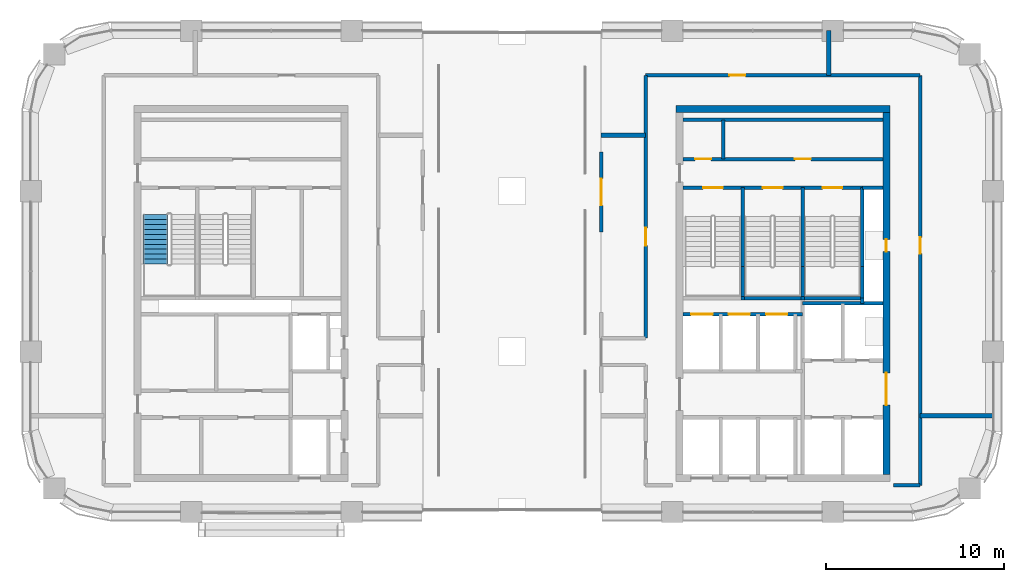
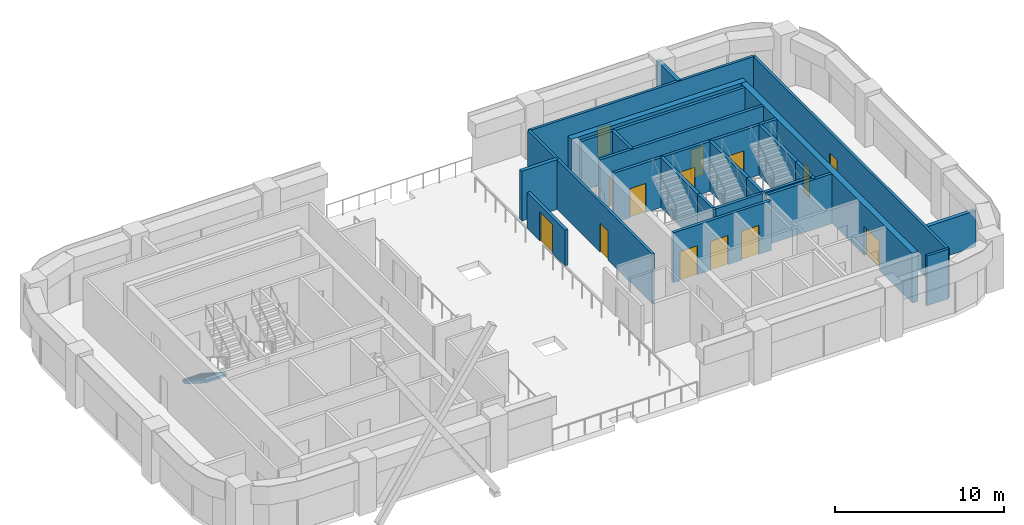
# One storey, part 8 of 11: 28 walls, 14 doors, 1 stair flight, 14 openings, 1 element without a shape of its own.
"""IFC4 building model written with IfcOpenShell, lengths in metres."""

from ifc_helpers import new_model, si_unit, direction, frame, frame_2d, origin, place, context, subcontext, project, spatial, polyline, rectangle, outline, extrude, material, layer, layer_set, type_object, element, fill, aggregate, save


model = new_model("IFC4")

# Units and contexts
model_context = context("Model", 3, precision=1e-05, world=origin(), true_north=direction((0.0, 1.0)))
body_context = subcontext(model_context, "Body", "Model", "MODEL_VIEW")
ifc_project = project(units=[si_unit("LENGTHUNIT", "METRE"), si_unit("AREAUNIT", "SQUARE_METRE"), si_unit("VOLUMEUNIT", "CUBIC_METRE"), si_unit("PLANEANGLEUNIT", "RADIAN"), si_unit("MASSUNIT", "GRAM", prefix="KILO")], contexts=[model_context])

# Site, building, storey
site_placement = place(None, origin())
site = spatial("IfcSite", under=ifc_project, at=site_placement, CompositionType="ELEMENT")
building_placement = place(site_placement, origin())
building = spatial("IfcBuilding", under=site, at=building_placement, Name="Tessera Arch", CompositionType="ELEMENT")
storey_placement = place(building_placement, frame((0.0, 0.0, 203.300048828125)))
storey = spatial("IfcBuildingStorey", under=building, at=storey_placement, Name="L48", CompositionType="ELEMENT", Elevation=203.300048828125)

# Wall
ifc_material_1 = material(Name="Gypsum board on steel stud", Category="steel")
ifc_layer_1 = layer(ifc_material_1, 0.125)
ifc_layer_set_1 = layer_set([ifc_layer_1], Name="Core partition 125 EI 60")
wall_type_1 = type_object("IfcWallType", Name="Core partition 125 EI 60", PredefinedType="PARTITIONING", material=ifc_layer_set_1)
wall_1_placement = place(storey_placement, frame((38.840087890625, 46.800048828125, 0.0), z_axis=(0.0, 0.0, 1.0), x_axis=(0.0, 1.0, 0.0)))
element("IfcWall", 1, at=wall_1_placement, inside=storey, type_object=wall_type_1, Name="L48 C1 partition wall 3", PredefinedType="PARTITIONING", context=body_context, shape_type="SweptSolid", body=[
    extrude(rectangle(XDim=2.199951171875, YDim=0.199951171875, at=frame_2d((1.10009765625, 0.0))), origin(), (0.0, 0.0, 1.0), 3.599853515625),
])

# Wall, openings, doors
wall_2_placement = place(storey_placement, frame((36.60009765625, 46.800048828125, 0.0), z_axis=(0.0, 0.0, 1.0), x_axis=(1.0, 0.0, 0.0)))
wall_2 = element("IfcWall", 2, at=wall_2_placement, inside=storey, type_object=wall_type_1, Name="L48 C1 partition wall 31", PredefinedType="PARTITIONING", context=body_context, shape_type="SweptSolid", body=[
    extrude(rectangle(XDim=11.199951171875, YDim=0.199951171875, at=frame_2d((5.60009765625, 0.0))), origin(), (0.0, 0.0, 1.0), 3.599853515625),
])
opening_1_placement = place(wall_2_placement, frame((0.669921875, 0.0, 0.0)))
opening_1 = element("IfcOpeningElement", 3, at=opening_1_placement, cuts=wall_2, Name="Opening L48-C18", PredefinedType="OPENING", context=body_context, shape_type="SweptSolid", body=[
    extrude(rectangle(XDim=0.89990234375, YDim=2.10009765625, at=frame_2d((0.449951171875, 1.050048828125))), frame((0.0, 0.10986328125, 0.0), z_axis=(0.0, -1.0, 0.0), x_axis=(1.0, 0.0, 0.0)), (0.0, 0.0, 1.0), 0.219970703125),
])
opening_2_placement = place(wall_2_placement, frame((6.27001953125, 0.0, 0.0)))
opening_2 = element("IfcOpeningElement", 4, at=opening_2_placement, cuts=wall_2, Name="Opening L48-C19", PredefinedType="OPENING", context=body_context, shape_type="SweptSolid", body=[
    extrude(rectangle(XDim=0.89990234375, YDim=2.10009765625, at=frame_2d((0.449951171875, 1.050048828125))), frame((0.0, 0.10986328125, 0.0), z_axis=(0.0, -1.0, 0.0), x_axis=(1.0, 0.0, 0.0)), (0.0, 0.0, 1.0), 0.219970703125),
])
ifc_material_2 = material(Name="Steel door leaf", Category="steel")
door_type_1 = type_object("IfcDoorType", Name="Store door FD30S 900 x 2100", OperationType="SINGLE_SWING_LEFT", PredefinedType="DOOR", material=ifc_material_2)
door_1_placement = place(opening_1_placement, origin())
door_1 = element("IfcDoor", 5, at=door_1_placement, inside=storey, type_object=door_type_1, Name="L48 C1 door 18 C18 type D09", OperationType="SINGLE_SWING_LEFT", OverallHeight=2.10009765625, OverallWidth=0.89990234375, PredefinedType="DOOR", context=body_context, shape_type="SweptSolid", body=[
    extrude(rectangle(XDim=0.89990234375, YDim=2.10009765625, at=frame_2d((0.449951171875, 1.050048828125))), frame((0.0, 0.02490234375, 0.0), z_axis=(0.0, -1.0, 0.0), x_axis=(1.0, 0.0, 0.0)), (0.0, 0.0, 1.0), 0.050048828125),
])
fill(opening_1, door_1)
door_2_placement = place(opening_2_placement, origin())
door_2 = element("IfcDoor", 6, at=door_2_placement, inside=storey, type_object=door_type_1, Name="L48 C1 door 19 C19 type D09", OperationType="SINGLE_SWING_RIGHT", OverallHeight=2.10009765625, OverallWidth=0.89990234375, PredefinedType="DOOR", context=body_context, shape_type="SweptSolid", body=[
    extrude(rectangle(XDim=0.89990234375, YDim=2.10009765625, at=frame_2d((0.449951171875, 1.050048828125))), frame((0.0, 0.02490234375, 0.0), z_axis=(0.0, -1.0, 0.0), x_axis=(1.0, 0.0, 0.0)), (0.0, 0.0, 1.0), 0.050048828125),
])
fill(opening_2, door_2)

# Walls
wall_3_placement = place(storey_placement, frame((36.60009765625, 49.0, 0.0), z_axis=(0.0, 0.0, 1.0), x_axis=(1.0, 0.0, 0.0)))
element("IfcWall", 7, at=wall_3_placement, inside=storey, type_object=wall_type_1, Name="L48 C1 partition wall 32", PredefinedType="PARTITIONING", context=body_context, shape_type="SweptSolid", body=[
    extrude(rectangle(XDim=11.199951171875, YDim=0.199951171875, at=frame_2d((5.60009765625, 0.0))), origin(), (0.0, 0.0, 1.0), 3.599853515625),
])
ifc_material_3 = material(Name="Concrete C50/60", Category="concrete")
ifc_layer_2 = layer(ifc_material_3, 0.39990234375)
ifc_layer_set_2 = layer_set([ifc_layer_2], Name="Core shell wall 400 C50-60")
wall_type_2 = type_object("IfcWallType", Name="Core shell wall 400 C50-60", PredefinedType="SHEAR", material=ifc_layer_set_2)
wall_4_placement = place(storey_placement, frame((36.199951171875, 49.60009765625, 0.0), z_axis=(0.0, 0.0, 1.0), x_axis=(1.0, 0.0, 0.0)))
element("IfcWall", 8, at=wall_4_placement, inside=storey, type_object=wall_type_2, Name="L48 C1 core wall N", PredefinedType="SHEAR", context=body_context, shape_type="SweptSolid", body=[
    extrude(rectangle(XDim=12.0, YDim=0.39990234375, at=frame_2d((6.0, 0.0))), origin(), (0.0, 0.0, 1.0), 3.599853515625),
])

# Wall, openings, doors
wall_5_placement = place(storey_placement, frame((48.0, 29.10009765625, 0.0), z_axis=(0.0, 0.0, 1.0), x_axis=(0.0, 1.0, 0.0)))
wall_5 = element("IfcWall", 9, at=wall_5_placement, inside=storey, type_object=wall_type_2, Name="L48 C1 core wall E", PredefinedType="SHEAR", context=body_context, shape_type="SweptSolid", body=[
    extrude(rectangle(XDim=20.2998046875, YDim=0.39990234375, at=frame_2d((10.14990234375, 0.0))), origin(), (0.0, 0.0, 1.0), 3.599853515625),
])
opening_3_placement = place(wall_5_placement, frame((12.5, 0.0, 0.0)))
opening_3 = element("IfcOpeningElement", 10, at=opening_3_placement, cuts=wall_5, Name="Opening L48-C14", PredefinedType="OPENING", context=body_context, shape_type="SweptSolid", body=[
    extrude(rectangle(XDim=0.699951171875, YDim=2.10009765625, at=frame_2d((0.35009765625, 1.050048828125))), frame((0.0, 0.2099609375, 0.0), z_axis=(0.0, -1.0, 0.0), x_axis=(1.0, 0.0, 0.0)), (0.0, 0.0, 1.0), 0.419921875),
])
opening_4_placement = place(wall_5_placement, frame((3.89990234375, 0.0, 0.0)))
opening_4 = element("IfcOpeningElement", 11, at=opening_4_placement, cuts=wall_5, Name="Opening L48-C15", PredefinedType="OPENING", context=body_context, shape_type="SweptSolid", body=[
    extrude(rectangle(XDim=1.800048828125, YDim=2.10009765625, at=frame_2d((0.89990234375, 1.050048828125))), frame((0.0, 0.2099609375, 0.0), z_axis=(0.0, -1.0, 0.0), x_axis=(1.0, 0.0, 0.0)), (0.0, 0.0, 1.0), 0.419921875),
])
ifc_material_4 = material(Name="Glazed steel door leaf", Category="steel")
door_type_2 = type_object("IfcDoorType", Name="Lobby double door FD60 1800 x 2100", OperationType="DOUBLE_DOOR_SINGLE_SWING", PredefinedType="DOOR", material=ifc_material_4)
door_3_placement = place(opening_4_placement, origin())
door_3 = element("IfcDoor", 12, at=door_3_placement, inside=storey, type_object=door_type_2, Name="L48 C1 door 15 C15 type D19", OperationType="DOUBLE_DOOR_SINGLE_SWING", OverallHeight=2.10009765625, OverallWidth=1.800048828125, PredefinedType="DOOR", context=body_context, shape_type="SweptSolid", body=[
    extrude(rectangle(XDim=1.800048828125, YDim=2.10009765625, at=frame_2d((0.89990234375, 1.050048828125))), frame((0.0, 0.02490234375, 0.0), z_axis=(0.0, -1.0, 0.0), x_axis=(1.0, 0.0, 0.0)), (0.0, 0.0, 1.0), 0.050048828125),
])
fill(opening_4, door_3)
ifc_material_5 = material(Name="Steel door leaf", Category="steel")
door_type_3 = type_object("IfcDoorType", Name="Service shaft door FD60 700 x 2100", OperationType="SINGLE_SWING_LEFT", PredefinedType="DOOR", material=ifc_material_5)
door_4_placement = place(opening_3_placement, origin())
door_4 = element("IfcDoor", 13, at=door_4_placement, inside=storey, type_object=door_type_3, Name="L48 C1 door 14 C14 type D07", OperationType="SINGLE_SWING_RIGHT", OverallHeight=2.10009765625, OverallWidth=0.699951171875, PredefinedType="DOOR", context=body_context, shape_type="SweptSolid", body=[
    extrude(rectangle(XDim=0.699951171875, YDim=2.10009765625, at=frame_2d((0.35009765625, 1.050048828125))), frame((0.0, 0.02490234375, 0.0), z_axis=(0.0, -1.0, 0.0), x_axis=(1.0, 0.0, 0.0)), (0.0, 0.0, 1.0), 0.050048828125),
])
fill(opening_3, door_4)

# Wall
ifc_material_6 = material(Name="Gypsum board on deep steel stud with mineral wool", Category="steel")
ifc_layer_3 = layer(ifc_material_6, 0.175048828125)
ifc_layer_set_3 = layer_set([ifc_layer_3], Name="Corridor wall 175 EI 60")
wall_type_3 = type_object("IfcWallType", Name="Corridor wall 175 EI 60", PredefinedType="PARTITIONING", material=ifc_layer_set_3)
wall_6_placement = place(storey_placement, frame((48.39990234375, 28.5, 0.0), z_axis=(0.0, 0.0, 1.0), x_axis=(1.0, 0.0, 0.0)))
element("IfcWall", 14, at=wall_6_placement, inside=storey, type_object=wall_type_3, Name="L48 partition 4", PredefinedType="PARTITIONING", context=body_context, shape_type="SweptSolid", body=[
    extrude(rectangle(XDim=1.5, YDim=0.175048828125, at=frame_2d((0.75, 0.0))), origin(), (0.0, 0.0, 1.0), 3.599853515625),
])

# Wall, opening, door
wall_7_placement = place(storey_placement, frame((34.5, 51.5, 0.0), z_axis=(0.0, 0.0, 1.0), x_axis=(1.0, 0.0, 0.0)))
wall_7 = element("IfcWall", 15, at=wall_7_placement, inside=storey, type_object=wall_type_3, Name="L48 partition 10", PredefinedType="PARTITIONING", context=body_context, shape_type="SweptSolid", body=[
    extrude(rectangle(XDim=15.39990234375, YDim=0.175048828125, at=frame_2d((7.699951171875, 0.0))), origin(), (0.0, 0.0, 1.0), 3.599853515625),
])
opening_5_placement = place(wall_7_placement, frame((4.68896484375, 0.0, 0.0)))
opening_5 = element("IfcOpeningElement", 16, at=opening_5_placement, cuts=wall_7, Name="Opening L48-D010", PredefinedType="OPENING", context=body_context, shape_type="SweptSolid", body=[
    extrude(rectangle(XDim=0.89990234375, YDim=2.10009765625, at=frame_2d((0.449951171875, 1.050048828125))), frame((0.0, 0.097412109375, 0.0), z_axis=(0.0, -1.0, 0.0), x_axis=(1.0, 0.0, 0.0)), (0.0, 0.0, 1.0), 0.195068359375),
])
ifc_material_7 = material(Name="Timber door leaf", Category="wood")
door_type_4 = type_object("IfcDoorType", Name="Room door 900 x 2100", OperationType="SINGLE_SWING_LEFT", PredefinedType="DOOR", material=ifc_material_7)
door_5_placement = place(opening_5_placement, origin())
door_5 = element("IfcDoor", 17, at=door_5_placement, inside=storey, type_object=door_type_4, Name="L48 door D010 type D01", OperationType="SINGLE_SWING_RIGHT", OverallHeight=2.10009765625, OverallWidth=0.89990234375, PredefinedType="DOOR", context=body_context, shape_type="SweptSolid", body=[
    extrude(rectangle(XDim=0.89990234375, YDim=2.10009765625, at=frame_2d((0.449951171875, 1.050048828125))), frame((0.0, 0.02490234375, 0.0), z_axis=(0.0, -1.0, 0.0), x_axis=(1.0, 0.0, 0.0)), (0.0, 0.0, 1.0), 0.050048828125),
])
fill(opening_5, door_5)

wall_8_placement = place(storey_placement, frame((34.5, 36.75, 0.0), z_axis=(0.0, 0.0, 1.0), x_axis=(0.0, 1.0, 0.0)))
wall_8 = element("IfcWall", 18, at=wall_8_placement, inside=storey, type_object=wall_type_3, Name="L48 partition 15", PredefinedType="PARTITIONING", context=body_context, shape_type="SweptSolid", body=[
    extrude(rectangle(XDim=14.75, YDim=0.175048828125, at=frame_2d((7.375, 0.0))), origin(), (0.0, 0.0, 1.0), 3.599853515625),
])
opening_6_placement = place(wall_8_placement, frame((5.189208984375, 0.0, 0.0)))
opening_6 = element("IfcOpeningElement", 19, at=opening_6_placement, cuts=wall_8, Name="Opening L48-D006", PredefinedType="OPENING", context=body_context, shape_type="SweptSolid", body=[
    extrude(rectangle(XDim=1.0, YDim=2.10009765625, at=frame_2d((0.5, 1.050048828125))), frame((0.0, 0.097412109375, 0.0), z_axis=(0.0, -1.0, 0.0), x_axis=(1.0, 0.0, 0.0)), (0.0, 0.0, 1.0), 0.195068359375),
])
ifc_material_8 = material(Name="Fire-rated door leaf")
door_type_5 = type_object("IfcDoorType", Name="Entrance door FD30S 1000 x 2100", OperationType="SINGLE_SWING_LEFT", PredefinedType="DOOR", material=ifc_material_8)
door_6_placement = place(opening_6_placement, origin())
door_6 = element("IfcDoor", 20, at=door_6_placement, inside=storey, type_object=door_type_5, Name="L48 door D006 type D03", OperationType="SINGLE_SWING_RIGHT", OverallHeight=2.10009765625, OverallWidth=1.0, PredefinedType="DOOR", context=body_context, shape_type="SweptSolid", body=[
    extrude(rectangle(XDim=1.0, YDim=2.10009765625, at=frame_2d((0.5, 1.050048828125))), frame((0.0, 0.02490234375, 0.0), z_axis=(0.0, -1.0, 0.0), x_axis=(1.0, 0.0, 0.0)), (0.0, 0.0, 1.0), 0.050048828125),
])
fill(opening_6, door_6)

wall_9_placement = place(storey_placement, frame((49.89990234375, 28.5, 0.0), z_axis=(0.0, 0.0, 1.0), x_axis=(0.0, 1.0, 0.0)))
wall_9 = element("IfcWall", 21, at=wall_9_placement, inside=storey, type_object=wall_type_3, Name="L48 partition 16", PredefinedType="PARTITIONING", context=body_context, shape_type="SweptSolid", body=[
    extrude(rectangle(XDim=23.0, YDim=0.175048828125, at=frame_2d((11.5, 0.0))), origin(), (0.0, 0.0, 1.0), 3.599853515625),
])
opening_7_placement = place(wall_9_placement, frame((13.0, 0.0, 0.0)))
opening_7 = element("IfcOpeningElement", 22, at=opening_7_placement, cuts=wall_9, Name="Opening L48-D008", PredefinedType="OPENING", context=body_context, shape_type="SweptSolid", body=[
    extrude(rectangle(XDim=0.89990234375, YDim=2.10009765625, at=frame_2d((0.449951171875, 1.050048828125))), frame((0.0, 0.097412109375, 0.0), z_axis=(0.0, -1.0, 0.0), x_axis=(1.0, 0.0, 0.0)), (0.0, 0.0, 1.0), 0.195068359375),
])
door_7_placement = place(opening_7_placement, origin())
door_7 = element("IfcDoor", 23, at=door_7_placement, inside=storey, type_object=door_type_4, Name="L48 door D008 type D01", OperationType="SINGLE_SWING_LEFT", OverallHeight=2.10009765625, OverallWidth=0.89990234375, PredefinedType="DOOR", context=body_context, shape_type="SweptSolid", body=[
    extrude(rectangle(XDim=0.89990234375, YDim=2.10009765625, at=frame_2d((0.449951171875, 1.050048828125))), frame((0.0, 0.02490234375, 0.0), z_axis=(0.0, -1.0, 0.0), x_axis=(1.0, 0.0, 0.0)), (0.0, 0.0, 1.0), 0.050048828125),
])
fill(opening_7, door_7)

ifc_material_9 = material(Name="Aluminium cladding pale metal anodised", Category="aluminium")
ifc_layer_4 = layer(ifc_material_9, 0.199951171875)
ifc_layer_set_4 = layer_set([ifc_layer_4], Name="Envelope wall pale metal")
wall_type_4 = type_object("IfcWallType", Name="Envelope wall pale metal", PredefinedType="SOLIDWALL", material=ifc_layer_set_4)
wall_10_placement = place(storey_placement, frame((32.0, 47.199951171875, 0.0), z_axis=(0.0, 0.0, 1.0), x_axis=(0.0, -1.0, 0.0)))
wall_10 = element("IfcWall", 24, at=wall_10_placement, inside=storey, type_object=wall_type_4, Name="Door bay wall W32.27/0 L48", PredefinedType="SOLIDWALL", context=body_context, shape_type="SweptSolid", body=[
    extrude(rectangle(XDim=4.5, YDim=0.199951171875, at=frame_2d((2.25, 0.0))), origin(), (0.0, 0.0, 1.0), 2.599853515625),
])
opening_8_placement = place(wall_10_placement, frame((1.5, 0.0, 0.0)))
opening_8 = element("IfcOpeningElement", 25, at=opening_8_placement, cuts=wall_10, Name="Opening L48-X03", PredefinedType="OPENING", context=body_context, shape_type="SweptSolid", body=[
    extrude(rectangle(XDim=1.5, YDim=2.10009765625, at=frame_2d((0.75, 1.050048828125))), frame((0.0, 0.10986328125, 0.0), z_axis=(0.0, -1.0, 0.0), x_axis=(1.0, 0.0, 0.0)), (0.0, 0.0, 1.0), 0.219970703125),
])
ifc_material_10 = material(Name="Aluminium frame and clear glass", Category="aluminium")
door_type_6 = type_object("IfcDoorType", Name="Terrace door glazed double leaf", OperationType="DOUBLE_DOOR_SINGLE_SWING", PredefinedType="DOOR", material=ifc_material_10)
door_8_placement = place(opening_8_placement, origin())
door_8 = element("IfcDoor", 26, at=door_8_placement, inside=storey, type_object=door_type_6, Name="Door L48-X-W32.27/0-1 X03", OperationType="DOUBLE_DOOR_SINGLE_SWING", OverallHeight=2.10009765625, OverallWidth=1.5, PredefinedType="DOOR", context=body_context, shape_type="SweptSolid", body=[
    extrude(rectangle(XDim=1.5, YDim=2.10009765625, at=frame_2d((0.75, 1.050048828125))), frame((0.0, 0.02490234375, 0.0), z_axis=(0.0, -1.0, 0.0), x_axis=(1.0, 0.0, 0.0)), (0.0, 0.0, 1.0), 0.050048828125),
])
fill(opening_8, door_8)

# Walls
ifc_material_11 = material(Name="Double gypsum board on twin steel stud with acoustic mineral wool", Category="steel")
ifc_layer_5 = layer(ifc_material_11, 0.25)
ifc_layer_set_5 = layer_set([ifc_layer_5], Name="Party wall 250 EI 60")
wall_type_5 = type_object("IfcWallType", Name="Party wall 250 EI 60", PredefinedType="PARTITIONING", material=ifc_layer_set_5)
wall_11_placement = place(storey_placement, frame((49.89990234375, 32.39990234375, 0.0), z_axis=(0.0, 0.0, 1.0), x_axis=(1.0, 0.0, 0.0)))
element("IfcWall", 27, at=wall_11_placement, inside=storey, type_object=wall_type_5, Name="L48 partition 20", PredefinedType="PARTITIONING", context=body_context, shape_type="SweptSolid", body=[
    extrude(rectangle(XDim=4.10009765625, YDim=0.25, at=frame_2d((2.050048828125, 0.0))), origin(), (0.0, 0.0, 1.0), 2.599853515625),
])
for number, where, z_axis, x_axis, name in (
    (28, (32.0, 48.12890625, 0.0), (0.0, 0.0, 1.0), (1.0, 0.0, 0.0), "L48 partition 22"),
    (29, (44.778076171875, 51.5, 0.0), (0.0, 0.0, 1.0), (0.0, 1.0, 0.0), "L48 partition 24"),
):
    element("IfcWall", number, at=place(storey_placement, frame(where, z_axis=z_axis, x_axis=x_axis)), inside=storey, type_object=wall_type_5, Name=name, PredefinedType="PARTITIONING", context=body_context, shape_type="SweptSolid", body=[
        extrude(rectangle(XDim=2.5, YDim=0.25, at=frame_2d((1.25, 0.0))), origin(), (0.0, 0.0, 1.0), 3.599853515625),
    ])
ifc_material_12 = material(Name="Concrete C40/50", Category="concrete")
ifc_layer_6 = layer(ifc_material_12, 0.199951171875)
ifc_layer_set_6 = layer_set([ifc_layer_6], Name="Shaft wall 200 EI 120")
wall_type_6 = type_object("IfcWallType", Name="Shaft wall 200 EI 120", PredefinedType="SOLIDWALL", material=ifc_layer_set_6)
wall_12_placement = place(storey_placement, frame((46.64990234375, 38.699951171875, 0.0), z_axis=(0.0, 0.0, 1.0), x_axis=(0.0, 1.0, 0.0)))
element("IfcWall", 30, at=wall_12_placement, inside=storey, type_object=wall_type_6, Name="L48 C1 shaft wall 15", PredefinedType="SOLIDWALL", context=body_context, shape_type="SweptSolid", body=[
    extrude(rectangle(XDim=0.300048828125, YDim=0.199951171875, at=frame_2d((0.14990234375, 0.0))), origin(), (0.0, 0.0, 1.0), 3.599853515625),
])

# Wall, openings, doors
wall_13_placement = place(storey_placement, frame((36.60009765625, 38.10009765625, 0.0), z_axis=(0.0, 0.0, 1.0), x_axis=(1.0, 0.0, 0.0)))
wall_13 = element("IfcWall", 31, at=wall_13_placement, inside=storey, type_object=wall_type_6, Name="L48 C1 shaft wall 22", PredefinedType="SOLIDWALL", context=body_context, shape_type="SweptSolid", body=[
    extrude(rectangle(XDim=6.699951171875, YDim=0.199951171875, at=frame_2d((3.35009765625, 0.0))), origin(), (0.0, 0.0, 1.0), 3.599853515625),
])
opening_9_placement = place(wall_13_placement, frame((0.449951171875, 0.0, 0.0)))
opening_9 = element("IfcOpeningElement", 32, at=opening_9_placement, cuts=wall_13, Name="Opening L48-C02", PredefinedType="OPENING", context=body_context, shape_type="SweptSolid", body=[
    extrude(rectangle(XDim=1.199951171875, YDim=2.10009765625, at=frame_2d((0.60009765625, 1.050048828125))), frame((0.0, 0.10986328125, 0.0), z_axis=(0.0, -1.0, 0.0), x_axis=(1.0, 0.0, 0.0)), (0.0, 0.0, 1.0), 0.219970703125),
])
opening_10_placement = place(wall_13_placement, frame((2.550048828125, 0.0, 0.0)))
opening_10 = element("IfcOpeningElement", 33, at=opening_10_placement, cuts=wall_13, Name="Opening L48-C04", PredefinedType="OPENING", context=body_context, shape_type="SweptSolid", body=[
    extrude(rectangle(XDim=1.199951171875, YDim=2.10009765625, at=frame_2d((0.60009765625, 1.050048828125))), frame((0.0, 0.10986328125, 0.0), z_axis=(0.0, -1.0, 0.0), x_axis=(1.0, 0.0, 0.0)), (0.0, 0.0, 1.0), 0.219970703125),
])
opening_11_placement = place(wall_13_placement, frame((4.64990234375, 0.0, 0.0)))
opening_11 = element("IfcOpeningElement", 34, at=opening_11_placement, cuts=wall_13, Name="Opening L48-C06", PredefinedType="OPENING", context=body_context, shape_type="SweptSolid", body=[
    extrude(rectangle(XDim=1.199951171875, YDim=2.10009765625, at=frame_2d((0.60009765625, 1.050048828125))), frame((0.0, 0.10986328125, 0.0), z_axis=(0.0, -1.0, 0.0), x_axis=(1.0, 0.0, 0.0)), (0.0, 0.0, 1.0), 0.219970703125),
])
ifc_material_13 = material(Name="Stainless steel AISI 304", Category="steel")
door_type_7 = type_object("IfcDoorType", Name="Sliding landing door 1200 x 2100", OperationType="SLIDING_TO_LEFT", PredefinedType="DOOR", material=ifc_material_13)
door_9_placement = place(opening_9_placement, origin())
door_9 = element("IfcDoor", 35, at=door_9_placement, inside=storey, type_object=door_type_7, Name="L48 HR4 lift landing door C02 type LD", OperationType="SLIDING_TO_LEFT", OverallHeight=2.10009765625, OverallWidth=1.199951171875, PredefinedType="DOOR", context=body_context, shape_type="SweptSolid", body=[
    extrude(rectangle(XDim=1.199951171875, YDim=2.10009765625, at=frame_2d((0.60009765625, 1.050048828125))), frame((0.0, 0.02490234375, 0.0), z_axis=(0.0, -1.0, 0.0), x_axis=(1.0, 0.0, 0.0)), (0.0, 0.0, 1.0), 0.050048828125),
])
fill(opening_9, door_9)
door_10_placement = place(opening_10_placement, origin())
door_10 = element("IfcDoor", 36, at=door_10_placement, inside=storey, type_object=door_type_7, Name="L48 HR5 lift landing door C04 type LD", OperationType="SLIDING_TO_LEFT", OverallHeight=2.10009765625, OverallWidth=1.199951171875, PredefinedType="DOOR", context=body_context, shape_type="SweptSolid", body=[
    extrude(rectangle(XDim=1.199951171875, YDim=2.10009765625, at=frame_2d((0.60009765625, 1.050048828125))), frame((0.0, 0.02490234375, 0.0), z_axis=(0.0, -1.0, 0.0), x_axis=(1.0, 0.0, 0.0)), (0.0, 0.0, 1.0), 0.050048828125),
])
fill(opening_10, door_10)
door_11_placement = place(opening_11_placement, origin())
door_11 = element("IfcDoor", 37, at=door_11_placement, inside=storey, type_object=door_type_7, Name="L48 HR6 lift landing door C06 type LD", OperationType="SLIDING_TO_LEFT", OverallHeight=2.10009765625, OverallWidth=1.199951171875, PredefinedType="DOOR", context=body_context, shape_type="SweptSolid", body=[
    extrude(rectangle(XDim=1.199951171875, YDim=2.10009765625, at=frame_2d((0.60009765625, 1.050048828125))), frame((0.0, 0.02490234375, 0.0), z_axis=(0.0, -1.0, 0.0), x_axis=(1.0, 0.0, 0.0)), (0.0, 0.0, 1.0), 0.050048828125),
])
fill(opening_11, door_11)

# Walls
wall_14_placement = place(storey_placement, frame((43.300048828125, 38.699951171875, 0.0), z_axis=(0.0, 0.0, 1.0), x_axis=(1.0, 0.0, 0.0)))
element("IfcWall", 38, at=wall_14_placement, inside=storey, type_object=wall_type_6, Name="L48 C1 shaft wall 23", PredefinedType="SOLIDWALL", context=body_context, shape_type="SweptSolid", body=[
    extrude(rectangle(XDim=4.5, YDim=0.199951171875, at=frame_2d((2.25, 0.0))), origin(), (0.0, 0.0, 1.0), 3.599853515625),
])
wall_15_placement = place(storey_placement, frame((46.64990234375, 45.199951171875, 0.0), z_axis=(0.0, 0.0, 1.0), x_axis=(1.0, 0.0, 0.0)))
element("IfcWall", 39, at=wall_15_placement, inside=storey, type_object=wall_type_6, Name="L48 C1 shaft wall 29", PredefinedType="SOLIDWALL", context=body_context, shape_type="SweptSolid", body=[
    extrude(rectangle(XDim=1.150146484375, YDim=0.199951171875, at=frame_2d((0.5751953125, 0.0))), origin(), (0.0, 0.0, 1.0), 3.599853515625),
])
ifc_material_14 = material(Name="Concrete C40/50", Category="concrete")
ifc_layer_7 = layer(ifc_material_14, 0.199951171875)
ifc_layer_set_7 = layer_set([ifc_layer_7], Name="Stair well wall 200 REI 180")
wall_type_7 = type_object("IfcWallType", Name="Stair well wall 200 REI 180", PredefinedType="SOLIDWALL", material=ifc_layer_set_7)
wall_16_placement = place(storey_placement, frame((39.949951171875, 39.0, 0.0), z_axis=(0.0, 0.0, 1.0), x_axis=(0.0, 1.0, 0.0)))
element("IfcWall", 40, at=wall_16_placement, inside=storey, type_object=wall_type_7, Name="L48 C1 shaft wall 4", PredefinedType="SOLIDWALL", context=body_context, shape_type="SweptSolid", body=[
    extrude(rectangle(XDim=1.780029296875, YDim=0.199951171875, at=frame_2d((0.89013671875, 0.0))), origin(), (0.0, 0.0, 1.0), 3.599853515625),
])
wall_17_placement = place(storey_placement, frame((39.949951171875, 40.780029296875, 0.0), z_axis=(0.0, 0.0, 1.0), x_axis=(0.0, 1.0, 0.0)))
element("IfcWall", 41, at=wall_17_placement, inside=storey, type_object=wall_type_7, Name="L48 C1 shaft wall 5", PredefinedType="SOLIDWALL", context=body_context, shape_type="SweptSolid", body=[
    extrude(rectangle(XDim=4.419921875, YDim=0.199951171875, at=frame_2d((2.2099609375, 0.0))), origin(), (0.0, 0.0, 1.0), 3.599853515625),
])
wall_18_placement = place(storey_placement, frame((43.300048828125, 39.0, 0.0), z_axis=(0.0, 0.0, 1.0), x_axis=(0.0, 1.0, 0.0)))
element("IfcWall", 42, at=wall_18_placement, inside=storey, type_object=wall_type_7, Name="L48 C1 shaft wall 11", PredefinedType="SOLIDWALL", context=body_context, shape_type="SweptSolid", body=[
    extrude(rectangle(XDim=1.780029296875, YDim=0.199951171875, at=frame_2d((0.89013671875, 0.0))), origin(), (0.0, 0.0, 1.0), 3.599853515625),
])
wall_19_placement = place(storey_placement, frame((43.300048828125, 40.780029296875, 0.0), z_axis=(0.0, 0.0, 1.0), x_axis=(0.0, 1.0, 0.0)))
element("IfcWall", 43, at=wall_19_placement, inside=storey, type_object=wall_type_7, Name="L48 C1 shaft wall 12", PredefinedType="SOLIDWALL", context=body_context, shape_type="SweptSolid", body=[
    extrude(rectangle(XDim=4.419921875, YDim=0.199951171875, at=frame_2d((2.2099609375, 0.0))), origin(), (0.0, 0.0, 1.0), 3.599853515625),
])
wall_20_placement = place(storey_placement, frame((46.64990234375, 39.0, 0.0), z_axis=(0.0, 0.0, 1.0), x_axis=(0.0, 1.0, 0.0)))
element("IfcWall", 44, at=wall_20_placement, inside=storey, type_object=wall_type_7, Name="L48 C1 shaft wall 16", PredefinedType="SOLIDWALL", context=body_context, shape_type="SweptSolid", body=[
    extrude(rectangle(XDim=1.780029296875, YDim=0.199951171875, at=frame_2d((0.89013671875, 0.0))), origin(), (0.0, 0.0, 1.0), 3.599853515625),
])
wall_21_placement = place(storey_placement, frame((46.64990234375, 40.780029296875, 0.0), z_axis=(0.0, 0.0, 1.0), x_axis=(0.0, 1.0, 0.0)))
element("IfcWall", 45, at=wall_21_placement, inside=storey, type_object=wall_type_7, Name="L48 C1 shaft wall 17", PredefinedType="SOLIDWALL", context=body_context, shape_type="SweptSolid", body=[
    extrude(rectangle(XDim=4.419921875, YDim=0.199951171875, at=frame_2d((2.2099609375, 0.0))), origin(), (0.0, 0.0, 1.0), 3.599853515625),
])
wall_22_placement = place(storey_placement, frame((39.85009765625, 39.0, 0.0), z_axis=(0.0, 0.0, 1.0), x_axis=(1.0, 0.0, 0.0)))
element("IfcWall", 46, at=wall_22_placement, inside=storey, type_object=wall_type_7, Name="L48 C1 shaft wall 25", PredefinedType="SOLIDWALL", context=body_context, shape_type="SweptSolid", body=[
    extrude(rectangle(XDim=0.199951171875, YDim=0.199951171875, at=frame_2d((0.10009765625, 0.0))), origin(), (0.0, 0.0, 1.0), 3.599853515625),
])
wall_23_placement = place(storey_placement, frame((40.050048828125, 39.0, 0.0), z_axis=(0.0, 0.0, 1.0), x_axis=(1.0, 0.0, 0.0)))
element("IfcWall", 47, at=wall_23_placement, inside=storey, type_object=wall_type_7, Name="L48 C1 shaft wall 26", PredefinedType="SOLIDWALL", context=body_context, shape_type="SweptSolid", body=[
    extrude(rectangle(XDim=3.14990234375, YDim=0.199951171875, at=frame_2d((1.574951171875, 0.0))), origin(), (0.0, 0.0, 1.0), 3.599853515625),
])
wall_24_placement = place(storey_placement, frame((43.199951171875, 39.0, 0.0), z_axis=(0.0, 0.0, 1.0), x_axis=(1.0, 0.0, 0.0)))
element("IfcWall", 48, at=wall_24_placement, inside=storey, type_object=wall_type_7, Name="L48 C1 shaft wall 27", PredefinedType="SOLIDWALL", context=body_context, shape_type="SweptSolid", body=[
    extrude(rectangle(XDim=0.199951171875, YDim=0.199951171875, at=frame_2d((0.10009765625, 0.0))), origin(), (0.0, 0.0, 1.0), 3.599853515625),
])
wall_25_placement = place(storey_placement, frame((43.39990234375, 39.0, 0.0), z_axis=(0.0, 0.0, 1.0), x_axis=(1.0, 0.0, 0.0)))
element("IfcWall", 49, at=wall_25_placement, inside=storey, type_object=wall_type_7, Name="L48 C1 shaft wall 28", PredefinedType="SOLIDWALL", context=body_context, shape_type="SweptSolid", body=[
    extrude(rectangle(XDim=3.25, YDim=0.199951171875, at=frame_2d((1.625, 0.0))), origin(), (0.0, 0.0, 1.0), 3.599853515625),
])

# Wall, openings, doors
wall_26_placement = place(storey_placement, frame((36.60009765625, 45.199951171875, 0.0), z_axis=(0.0, 0.0, 1.0), x_axis=(1.0, 0.0, 0.0)))
wall_26 = element("IfcWall", 50, at=wall_26_placement, inside=storey, type_object=wall_type_7, Name="L48 C1 shaft wall 30", PredefinedType="SOLIDWALL", context=body_context, shape_type="SweptSolid", body=[
    extrude(rectangle(XDim=10.0498046875, YDim=0.199951171875, at=frame_2d((5.02490234375, 0.0))), origin(), (0.0, 0.0, 1.0), 3.599853515625),
])
opening_12_placement = place(wall_26_placement, frame((1.125, 0.0, 0.0)))
opening_12 = element("IfcOpeningElement", 51, at=opening_12_placement, cuts=wall_26, Name="Opening L48-C11", PredefinedType="OPENING", context=body_context, shape_type="SweptSolid", body=[
    extrude(rectangle(XDim=1.10009765625, YDim=2.10009765625, at=frame_2d((0.550048828125, 1.050048828125))), frame((0.0, 0.10986328125, 0.0), z_axis=(0.0, -1.0, 0.0), x_axis=(1.0, 0.0, 0.0)), (0.0, 0.0, 1.0), 0.219970703125),
])
opening_13_placement = place(wall_26_placement, frame((4.47509765625, 0.0, 0.0)))
opening_13 = element("IfcOpeningElement", 52, at=opening_13_placement, cuts=wall_26, Name="Opening L48-C12", PredefinedType="OPENING", context=body_context, shape_type="SweptSolid", body=[
    extrude(rectangle(XDim=1.10009765625, YDim=2.10009765625, at=frame_2d((0.550048828125, 1.050048828125))), frame((0.0, 0.10986328125, 0.0), z_axis=(0.0, -1.0, 0.0), x_axis=(1.0, 0.0, 0.0)), (0.0, 0.0, 1.0), 0.219970703125),
])
opening_14_placement = place(wall_26_placement, frame((7.824951171875, 0.0, 0.0)))
opening_14 = element("IfcOpeningElement", 53, at=opening_14_placement, cuts=wall_26, Name="Opening L48-C13", PredefinedType="OPENING", context=body_context, shape_type="SweptSolid", body=[
    extrude(rectangle(XDim=1.10009765625, YDim=2.10009765625, at=frame_2d((0.550048828125, 1.050048828125))), frame((0.0, 0.10986328125, 0.0), z_axis=(0.0, -1.0, 0.0), x_axis=(1.0, 0.0, 0.0)), (0.0, 0.0, 1.0), 0.219970703125),
])
ifc_material_15 = material(Name="Steel door leaf", Category="steel")
door_type_8 = type_object("IfcDoorType", Name="Stair door FD60 1100 x 2100", OperationType="SINGLE_SWING_LEFT", PredefinedType="DOOR", material=ifc_material_15)
door_12_placement = place(opening_12_placement, origin())
door_12 = element("IfcDoor", 54, at=door_12_placement, inside=storey, type_object=door_type_8, Name="L48 C1 door 11 C11 type D05", OperationType="SINGLE_SWING_LEFT", OverallHeight=2.10009765625, OverallWidth=1.10009765625, PredefinedType="DOOR", context=body_context, shape_type="SweptSolid", body=[
    extrude(rectangle(XDim=1.10009765625, YDim=2.10009765625, at=frame_2d((0.550048828125, 1.050048828125))), frame((0.0, 0.02490234375, 0.0), z_axis=(0.0, -1.0, 0.0), x_axis=(1.0, 0.0, 0.0)), (0.0, 0.0, 1.0), 0.050048828125),
])
fill(opening_12, door_12)
door_13_placement = place(opening_13_placement, origin())
door_13 = element("IfcDoor", 55, at=door_13_placement, inside=storey, type_object=door_type_8, Name="L48 C1 door 12 C12 type D05", OperationType="SINGLE_SWING_RIGHT", OverallHeight=2.10009765625, OverallWidth=1.10009765625, PredefinedType="DOOR", context=body_context, shape_type="SweptSolid", body=[
    extrude(rectangle(XDim=1.10009765625, YDim=2.10009765625, at=frame_2d((0.550048828125, 1.050048828125))), frame((0.0, 0.02490234375, 0.0), z_axis=(0.0, -1.0, 0.0), x_axis=(1.0, 0.0, 0.0)), (0.0, 0.0, 1.0), 0.050048828125),
])
fill(opening_13, door_13)
door_14_placement = place(opening_14_placement, origin())
door_14 = element("IfcDoor", 56, at=door_14_placement, inside=storey, type_object=door_type_8, Name="L48 C1 door 13 C13 type D05", OperationType="SINGLE_SWING_RIGHT", OverallHeight=2.10009765625, OverallWidth=1.10009765625, PredefinedType="DOOR", context=body_context, shape_type="SweptSolid", body=[
    extrude(rectangle(XDim=1.10009765625, YDim=2.10009765625, at=frame_2d((0.550048828125, 1.050048828125))), frame((0.0, 0.02490234375, 0.0), z_axis=(0.0, -1.0, 0.0), x_axis=(1.0, 0.0, 0.0)), (0.0, 0.0, 1.0), 0.050048828125),
])
fill(opening_14, door_14)

# Stair, stair flight
ifc_material_16 = material(Name="Concrete C40/50", Category="concrete")
stair_type = type_object("IfcStairType", Name="Dogleg stair 1400", PredefinedType="HALF_TURN_STAIR", material=ifc_material_16)
stair_placement = place(storey_placement, origin())
stair = element("IfcStair", 57, at=stair_placement, inside=storey, type_object=stair_type, Name="L48 S2a", PredefinedType="HALF_TURN_STAIR")
ifc_material_17 = material(Name="Concrete C40/50", Category="concrete")
stair_flight_type = type_object("IfcStairFlightType", Name="Stair flight 1400", PredefinedType="STRAIGHT", material=ifc_material_17)
stair_flight_placement = place(storey_placement, frame((7.0, 43.699951171875, 0.0), z_axis=(0.0, 0.0, 1.0), x_axis=(0.0, -1.0, 0.0)))
stair_flight = element("IfcStairFlight", 58, at=stair_flight_placement, type_object=stair_flight_type, Name="S2a flight 1", NumberOfRisers=11, NumberOfTreads=10, PredefinedType="STRAIGHT", RiserHeight=0.177272727, TreadLength=0.28, context=body_context, shape_type="SweptSolid", body=[
    extrude(outline(polyline([(0.0, 0.0), (0.0, 0.17724609375), (0.280029296875, 0.17724609375), (0.280029296875, 0.3544921875), (0.56005859375, 0.3544921875), (0.56005859375, 0.53173828125), (0.840087890625, 0.53173828125), (0.840087890625, 0.708984375), (1.1201171875, 0.708984375), (1.1201171875, 0.886474609375), (1.39990234375, 0.886474609375), (1.39990234375, 1.063720703125), (1.679931640625, 1.063720703125), (1.679931640625, 1.240966796875), (1.9599609375, 1.240966796875), (1.9599609375, 1.418212890625), (2.239990234375, 1.418212890625), (2.239990234375, 1.595458984375), (2.52001953125, 1.595458984375), (2.52001953125, 1.772705078125), (2.800048828125, 1.772705078125), (2.800048828125, 1.949951171875), (2.800048828125, 1.59521484375), (0.2802734375, 0.0), (0.0, 0.0)])), frame((0.0, 0.699951171875, 0.0), z_axis=(0.0, -1.0, 0.0), x_axis=(1.0, 0.0, 0.0)), (0.0, 0.0, 1.0), 1.39990234375),
])
aggregate(stair, [stair_flight])

save(model, "model.ifc")
